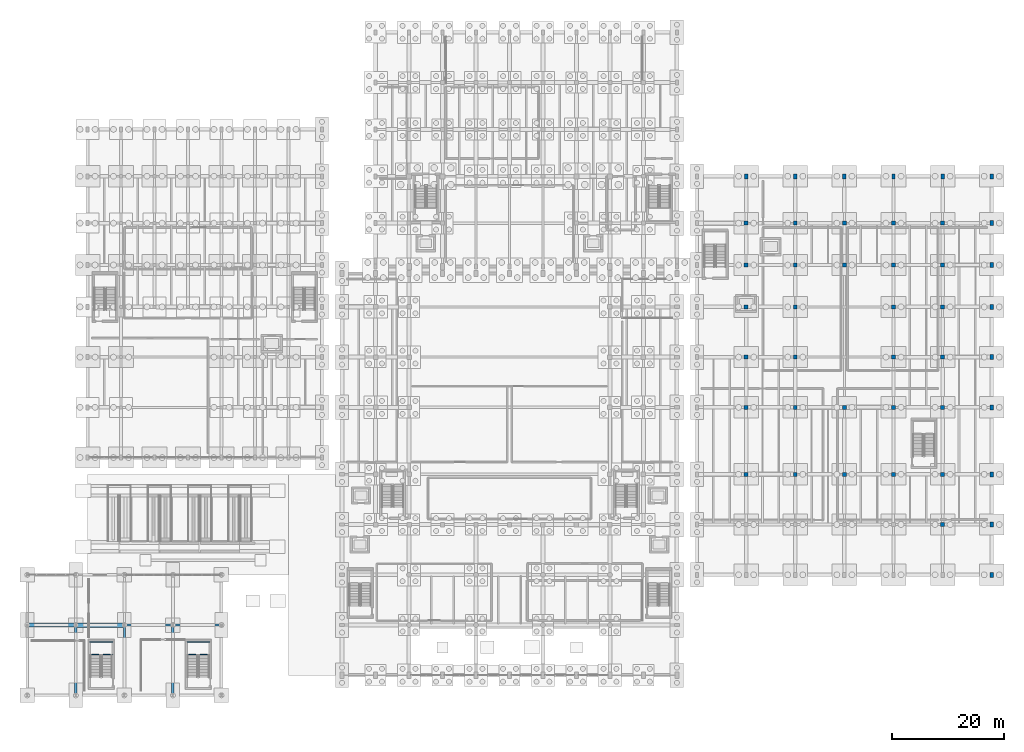
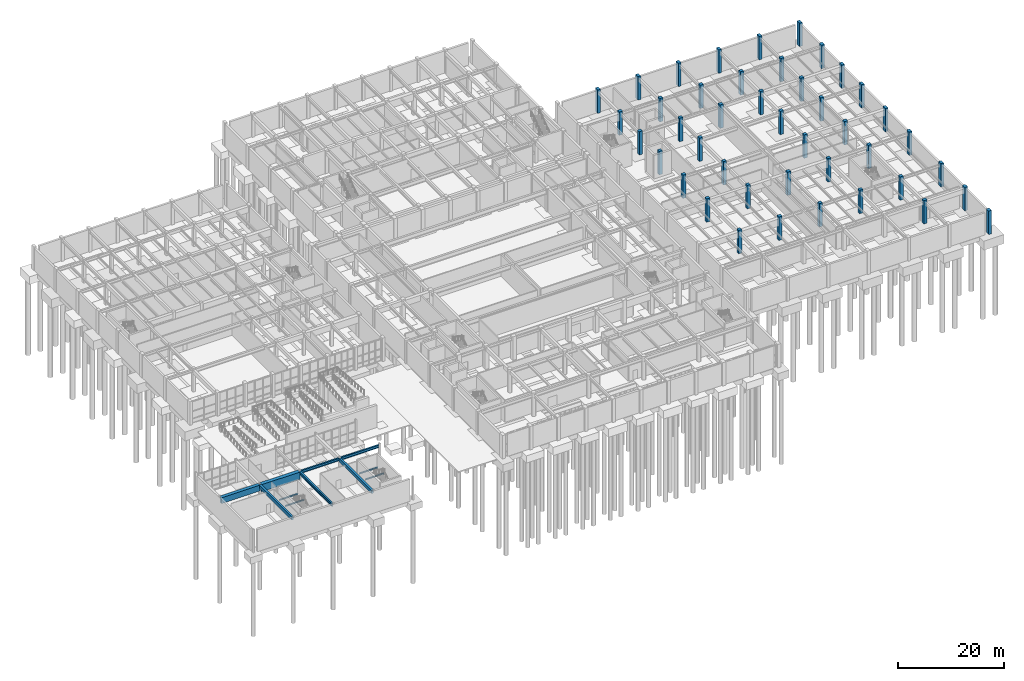
# One storey, part 15 of 69: 43 columns, 11 beams.
"""IFC4 building model written with IfcOpenShell, lengths in metres."""

from ifc_helpers import new_model, si_unit, direction, frame, origin, origin_2d, place, context, subcontext, project, spatial, rectangle, i_section, extrude, material, material_profile, profile_set, type_object, element, save


model = new_model("IFC4")

# Units and contexts
model_context = context("Model", 3, precision=1e-05, world=origin(), true_north=direction((0.0, 1.0)))
body_context = subcontext(model_context, "Body", "Model", "MODEL_VIEW")
ifc_project = project(units=[si_unit("LENGTHUNIT", "METRE"), si_unit("AREAUNIT", "SQUARE_METRE"), si_unit("VOLUMEUNIT", "CUBIC_METRE"), si_unit("PLANEANGLEUNIT", "RADIAN"), si_unit("MASSUNIT", "GRAM", prefix="KILO")], contexts=[model_context])

# Site, building, storey
site_placement = place(None, origin())
site = spatial("IfcSite", under=ifc_project, at=site_placement, CompositionType="ELEMENT")
building_placement = place(site_placement, origin())
building = spatial("IfcBuilding", under=site, at=building_placement, Name="Vaelkrest Opera House", CompositionType="ELEMENT")
storey_placement = place(building_placement, frame((0.0, 0.0, -5.39990234375)))
storey = spatial("IfcBuildingStorey", under=building, at=storey_placement, Name="B1", CompositionType="ELEMENT", Elevation=-5.39990234375)

# Columns
ifc_material_1 = material(Name="Concrete C50/60", Category="concrete")
ifc_material_profile_1 = material_profile(ifc_material_1, rectangle(XDim=0.699951171875, YDim=0.699951171875, at=origin_2d()), Name="RC700X700")
ifc_profile_set_1 = profile_set([ifc_material_profile_1], Name="Concrete C50/60")
column_type_1 = type_object("IfcColumnType", Name="C03", PredefinedType="COLUMN", material=ifc_profile_set_1)
for number, where, z_axis, x_axis, name in (
    (1, (42.39990234375, -19.800048828125, 0.0), (0.0, 0.0, 1.0), (1.0, 0.0, 0.0), "Column COL-V4-B1-1131"),
    (2, (42.39990234375, -7.800048828125, 0.0), (0.0, 0.0, 1.0), (1.0, 0.0, 0.0), "Column COL-V4-B1-1132"),
    (3, (42.39990234375, 1.199951171875, 0.0), (0.0, 0.0, 1.0), (1.0, 0.0, 0.0), "Column COL-V4-B1-1133"),
    (4, (42.39990234375, 10.199951171875, 0.0), (0.0, 0.0, 1.0), (1.0, 0.0, 0.0), "Column COL-V4-B1-1134"),
    (5, (42.39990234375, 17.699951171875, 0.0), (0.0, 0.0, 1.0), (1.0, 0.0, 0.0), "Column COL-V4-B1-1135"),
    (6, (42.39990234375, 25.199951171875, 0.0), (0.0, 0.0, 1.0), (1.0, 0.0, 0.0), "Column COL-V4-B1-1136"),
    (7, (51.199951171875, -19.800048828125, 0.0), (0.0, 0.0, 1.0), (1.0, 0.0, 0.0), "Column COL-V4-B1-1140"),
    (8, (51.199951171875, -7.800048828125, 0.0), (0.0, 0.0, 1.0), (1.0, 0.0, 0.0), "Column COL-V4-B1-1141"),
    (9, (51.199951171875, 1.199951171875, 0.0), (0.0, 0.0, 1.0), (1.0, 0.0, 0.0), "Column COL-V4-B1-1142"),
    (10, (51.199951171875, 10.199951171875, 0.0), (0.0, 0.0, 1.0), (1.0, 0.0, 0.0), "Column COL-V4-B1-1143"),
    (11, (51.199951171875, 17.699951171875, 0.0), (0.0, 0.0, 1.0), (1.0, 0.0, 0.0), "Column COL-V4-B1-1144"),
    (12, (51.199951171875, 25.199951171875, 0.0), (0.0, 0.0, 1.0), (1.0, 0.0, 0.0), "Column COL-V4-B1-1145"),
    (13, (60.0, -19.800048828125, 0.0), (0.0, 0.0, 1.0), (1.0, 0.0, 0.0), "Column COL-V4-B1-1149"),
    (14, (60.0, -7.800048828125, 0.0), (0.0, 0.0, 1.0), (1.0, 0.0, 0.0), "Column COL-V4-B1-1150"),
    (15, (60.0, 17.699951171875, 0.0), (0.0, 0.0, 1.0), (1.0, 0.0, 0.0), "Column COL-V4-B1-1151"),
    (16, (60.0, 25.199951171875, 0.0), (0.0, 0.0, 1.0), (1.0, 0.0, 0.0), "Column COL-V4-B1-1152"),
    (17, (68.800048828125, -19.800048828125, 0.0), (0.0, 0.0, 1.0), (1.0, 0.0, 0.0), "Column COL-V4-B1-1156"),
    (18, (68.800048828125, -7.800048828125, 0.0), (0.0, 0.0, 1.0), (1.0, 0.0, 0.0), "Column COL-V4-B1-1157"),
    (19, (68.800048828125, 1.199951171875, 0.0), (0.0, 0.0, 1.0), (1.0, 0.0, 0.0), "Column COL-V4-B1-1158"),
    (20, (68.800048828125, 10.199951171875, 0.0), (0.0, 0.0, 1.0), (1.0, 0.0, 0.0), "Column COL-V4-B1-1159"),
    (21, (68.800048828125, 17.699951171875, 0.0), (0.0, 0.0, 1.0), (1.0, 0.0, 0.0), "Column COL-V4-B1-1160"),
    (22, (68.800048828125, 25.199951171875, 0.0), (0.0, 0.0, 1.0), (1.0, 0.0, 0.0), "Column COL-V4-B1-1161"),
    (23, (77.60009765625, -28.800048828125, 0.0), (0.0, 0.0, 1.0), (1.0, 0.0, 0.0), "Column COL-V4-B1-1164"),
    (24, (77.60009765625, -19.800048828125, 0.0), (0.0, 0.0, 1.0), (1.0, 0.0, 0.0), "Column COL-V4-B1-1165"),
    (25, (77.60009765625, -7.800048828125, 0.0), (0.0, 0.0, 1.0), (1.0, 0.0, 0.0), "Column COL-V4-B1-1166"),
    (26, (77.60009765625, 1.199951171875, 0.0), (0.0, 0.0, 1.0), (1.0, 0.0, 0.0), "Column COL-V4-B1-1167"),
    (27, (77.60009765625, 10.199951171875, 0.0), (0.0, 0.0, 1.0), (1.0, 0.0, 0.0), "Column COL-V4-B1-1168"),
    (28, (77.60009765625, 17.699951171875, 0.0), (0.0, 0.0, 1.0), (1.0, 0.0, 0.0), "Column COL-V4-B1-1169"),
    (29, (77.60009765625, 25.199951171875, 0.0), (0.0, 0.0, 1.0), (1.0, 0.0, 0.0), "Column COL-V4-B1-1170"),
):
    element("IfcColumn", number, at=place(storey_placement, frame(where, z_axis=z_axis, x_axis=x_axis)), inside=storey, type_object=column_type_1, Name=name, PredefinedType="COLUMN", context=body_context, shape_type="SweptSolid", body=[
        extrude(rectangle(XDim=0.699951171875, YDim=0.699951171875, at=origin_2d()), origin(), (0.0, 0.0, 1.0), 5.39990234375),
    ])
ifc_material_profile_2 = material_profile(ifc_material_1, rectangle(XDim=0.60009765625, YDim=0.89990234375, at=origin_2d()), Name="RC600X900")
ifc_profile_set_2 = profile_set([ifc_material_profile_2], Name="Concrete C50/60")
column_type_2 = type_object("IfcColumnType", Name="C06", PredefinedType="COLUMN", material=ifc_profile_set_2)
for number, where, z_axis, x_axis, name in (
    (30, (42.39990234375, 33.60009765625, 0.0), (0.0, 0.0, 1.0), (1.0, 0.0, 0.0), "Column COL-V4-B1-1137"),
    (31, (51.199951171875, 33.60009765625, 0.0), (0.0, 0.0, 1.0), (1.0, 0.0, 0.0), "Column COL-V4-B1-1146"),
    (32, (60.0, 33.60009765625, 0.0), (0.0, 0.0, 1.0), (1.0, 0.0, 0.0), "Column COL-V4-B1-1153"),
    (33, (68.800048828125, 33.60009765625, 0.0), (0.0, 0.0, 1.0), (1.0, 0.0, 0.0), "Column COL-V4-B1-1162"),
    (34, (77.60009765625, 33.60009765625, 0.0), (0.0, 0.0, 1.0), (1.0, 0.0, 0.0), "Column COL-V4-B1-1171"),
    (35, (86.39990234375, -37.800048828125, 0.0), (0.0, 0.0, 1.0), (1.0, 0.0, 0.0), "Column COL-V4-B1-1172"),
    (36, (86.39990234375, -28.800048828125, 0.0), (0.0, 0.0, 1.0), (1.0, 0.0, 0.0), "Column COL-V4-B1-1173"),
    (37, (86.39990234375, -19.800048828125, 0.0), (0.0, 0.0, 1.0), (1.0, 0.0, 0.0), "Column COL-V4-B1-1174"),
    (38, (86.39990234375, -7.800048828125, 0.0), (0.0, 0.0, 1.0), (1.0, 0.0, 0.0), "Column COL-V4-B1-1175"),
    (39, (86.39990234375, 1.199951171875, 0.0), (0.0, 0.0, 1.0), (1.0, 0.0, 0.0), "Column COL-V4-B1-1176"),
    (40, (86.39990234375, 10.199951171875, 0.0), (0.0, 0.0, 1.0), (1.0, 0.0, 0.0), "Column COL-V4-B1-1177"),
    (41, (86.39990234375, 17.699951171875, 0.0), (0.0, 0.0, 1.0), (1.0, 0.0, 0.0), "Column COL-V4-B1-1178"),
    (42, (86.39990234375, 25.199951171875, 0.0), (0.0, 0.0, 1.0), (1.0, 0.0, 0.0), "Column COL-V4-B1-1179"),
    (43, (86.39990234375, 33.60009765625, 0.0), (0.0, 0.0, 1.0), (1.0, 0.0, 0.0), "Column COL-V4-B1-1180"),
):
    element("IfcColumn", number, at=place(storey_placement, frame(where, z_axis=z_axis, x_axis=x_axis)), inside=storey, type_object=column_type_2, Name=name, PredefinedType="COLUMN", context=body_context, shape_type="SweptSolid", body=[
        extrude(rectangle(XDim=0.60009765625, YDim=0.89990234375, at=origin_2d()), origin(), (0.0, 0.0, 1.0), 5.39990234375),
    ])

# Beams
ifc_material_profile_3 = material_profile(ifc_material_1, rectangle(XDim=0.449951171875, YDim=0.75, at=origin_2d()), Name="RCB450X750")
ifc_profile_set_3 = profile_set([ifc_material_profile_3], Name="Concrete C50/60")
beam_type_1 = type_object("IfcBeamType", Name="B02", PredefinedType="BEAM", material=ifc_profile_set_3)
for number, where, z_axis, x_axis, name in (
    (44, (-77.699951171875, -59.219970703125, 4.704833984375), (0.0, 1.0, 0.0), (-1.0, 0.0, 0.0), "Beam BM-V5-B1-2459"),
    (45, (-60.300048828125, -59.219970703125, 4.704833984375), (0.0, 1.0, 0.0), (-1.0, 0.0, 0.0), "Beam BM-V5-B1-2463"),
):
    element("IfcBeam", number, at=place(storey_placement, frame(where, z_axis=z_axis, x_axis=x_axis)), inside=storey, type_object=beam_type_1, Name=name, PredefinedType="BEAM", context=body_context, shape_type="SweptSolid", body=[
        extrude(rectangle(XDim=0.449951171875, YDim=0.75, at=origin_2d()), origin(), (0.0, 0.0, 1.0), 12.23388671875),
    ])
ifc_material_profile_4 = material_profile(ifc_material_1, rectangle(XDim=0.699951171875, YDim=1.35009765625, at=origin_2d()), Name="RCB700X1350")
ifc_profile_set_4 = profile_set([ifc_material_profile_4], Name="Concrete C50/60")
beam_type_2 = type_object("IfcBeamType", Name="B06", PredefinedType="BEAM", material=ifc_profile_set_4)
beam_1_placement = place(storey_placement, frame((-86.215087890625, -46.800048828125, 4.40478515625), z_axis=(1.0, 0.0, 0.0), x_axis=(0.0, 1.0, 0.0)))
element("IfcBeam", 46, at=beam_1_placement, inside=storey, type_object=beam_type_2, Name="Beam BM-V5-B1-2455", PredefinedType="BEAM", context=body_context, shape_type="SweptSolid", body=[
    extrude(rectangle(XDim=0.699951171875, YDim=1.35009765625, at=origin_2d()), origin(), (0.0, 0.0, 1.0), 8.328125),
])
ifc_material_profile_5 = material_profile(ifc_material_1, rectangle(XDim=0.800048828125, YDim=1.64990234375, at=origin_2d()), Name="RCB800X1650")
ifc_profile_set_5 = profile_set([ifc_material_profile_5], Name="Concrete C50/60")
beam_type_3 = type_object("IfcBeamType", Name="B07", PredefinedType="BEAM", material=ifc_profile_set_5)
beam_2_placement = place(storey_placement, frame((-77.512939453125, -46.800048828125, 4.2548828125), z_axis=(1.0, 0.0, 0.0), x_axis=(0.0, 1.0, 0.0)))
element("IfcBeam", 47, at=beam_2_placement, inside=storey, type_object=beam_type_3, Name="Beam BM-V5-B1-2456", PredefinedType="BEAM", context=body_context, shape_type="SweptSolid", body=[
    extrude(rectangle(XDim=0.800048828125, YDim=1.64990234375, at=origin_2d()), origin(), (0.0, 0.0, 1.0), 8.325927734375),
])
ifc_material_2 = material(Name="Steel A992 Gr50", Category="steel")
ifc_material_profile_6 = material_profile(ifc_material_2, i_section(OverallWidth=0.323974609375, OverallDepth=0.611083984375, WebThickness=0.0126953125, FlangeThickness=0.01904296875, at=origin_2d()), Name="W24X104")
ifc_profile_set_6 = profile_set([ifc_material_profile_6], Name="Steel A992 Gr50")
beam_type_4 = type_object("IfcBeamType", Name="B08", PredefinedType="BEAM", material=ifc_profile_set_6)
beam_3_placement = place(storey_placement, frame((-68.81298828125, -46.800048828125, 4.7744140625), z_axis=(1.0, 0.0, 0.0), x_axis=(0.0, 1.0, 0.0)))
element("IfcBeam", 48, at=beam_3_placement, inside=storey, type_object=beam_type_4, Name="Beam BM-V5-B1-2457", PredefinedType="BEAM", context=body_context, shape_type="SweptSolid", body=[
    extrude(i_section(OverallWidth=0.323974609375, OverallDepth=0.611083984375, WebThickness=0.0126953125, FlangeThickness=0.01904296875, at=origin_2d()), origin(), (0.0, 0.0, 1.0), 8.325927734375),
])
ifc_material_profile_7 = material_profile(ifc_material_2, i_section(OverallWidth=0.327880859375, OverallDepth=0.6279296875, WebThickness=0.0166015625, FlangeThickness=0.027587890625, at=origin_2d()), Name="W24X146")
ifc_profile_set_7 = profile_set([ifc_material_profile_7], Name="Steel A992 Gr50")
beam_type_5 = type_object("IfcBeamType", Name="B09", PredefinedType="BEAM", material=ifc_profile_set_7)
beam_4_placement = place(storey_placement, frame((-60.113037109375, -46.800048828125, 4.765869140625), z_axis=(1.0, 0.0, 0.0), x_axis=(0.0, 1.0, 0.0)))
element("IfcBeam", 49, at=beam_4_placement, inside=storey, type_object=beam_type_5, Name="Beam BM-V5-B1-2458", PredefinedType="BEAM", context=body_context, shape_type="SweptSolid", body=[
    extrude(i_section(OverallWidth=0.327880859375, OverallDepth=0.6279296875, WebThickness=0.0166015625, FlangeThickness=0.027587890625, at=origin_2d()), origin(), (0.0, 0.0, 1.0), 8.328125),
])
ifc_material_profile_8 = material_profile(ifc_material_2, i_section(OverallWidth=0.35498046875, OverallDepth=0.695068359375, WebThickness=0.015380859375, FlangeThickness=0.02490234375, at=origin_2d()), Name="W27X146")
ifc_profile_set_8 = profile_set([ifc_material_profile_8], Name="Steel A992 Gr50")
beam_type_6 = type_object("IfcBeamType", Name="B10", PredefinedType="BEAM", material=ifc_profile_set_8)
beam_5_placement = place(storey_placement, frame((-69.0, -59.219970703125, 4.732421875), z_axis=(0.0, 1.0, 0.0), x_axis=(-1.0, 0.0, 0.0)))
element("IfcBeam", 50, at=beam_5_placement, inside=storey, type_object=beam_type_6, Name="Beam BM-V5-B1-2461", PredefinedType="BEAM", context=body_context, shape_type="SweptSolid", body=[
    extrude(i_section(OverallWidth=0.35498046875, OverallDepth=0.695068359375, WebThickness=0.015380859375, FlangeThickness=0.02490234375, at=origin_2d()), origin(), (0.0, 0.0, 1.0), 12.23388671875),
])
ifc_material_profile_9 = material_profile(ifc_material_2, i_section(OverallWidth=0.202880859375, OverallDepth=0.302978515625, WebThickness=0.007568359375, FlangeThickness=0.01318359375, at=origin_2d()), Name="W12X40")
ifc_profile_set_9 = profile_set([ifc_material_profile_9], Name="Steel A992 Gr50")
beam_type_7 = type_object("IfcBeamType", Name="J02", PredefinedType="JOIST", material=ifc_profile_set_9)
for number, where, z_axis, x_axis, name in (
    (51, (-75.219970703125, -52.110107421875, 2.348388671875), (1.0, 0.0, 0.0), (0.0, 1.0, 0.0), "Stair landing bearer beam ST11 B1-1N"),
    (52, (-75.219970703125, -49.820068359375, 2.348388671875), (1.0, 0.0, 0.0), (0.0, 1.0, 0.0), "Stair landing bearer beam ST11 B1-1F"),
):
    element("IfcBeam", number, at=place(storey_placement, frame(where, z_axis=z_axis, x_axis=x_axis)), inside=storey, type_object=beam_type_7, Name=name, PredefinedType="JOIST", context=body_context, shape_type="SweptSolid", body=[
        extrude(i_section(OverallWidth=0.202880859375, OverallDepth=0.302978515625, WebThickness=0.007568359375, FlangeThickness=0.01318359375, at=origin_2d()), origin(), (0.0, 0.0, 1.0), 4.139892578125),
    ])
for number, where, z_axis, x_axis, name in (
    (53, (-57.820068359375, -52.110107421875, 2.348388671875), (1.0, 0.0, 0.0), (0.0, 1.0, 0.0), "Stair landing bearer beam ST12 B1-1N"),
    (54, (-57.820068359375, -49.820068359375, 2.348388671875), (1.0, 0.0, 0.0), (0.0, 1.0, 0.0), "Stair landing bearer beam ST12 B1-1F"),
):
    element("IfcBeam", number, at=place(storey_placement, frame(where, z_axis=z_axis, x_axis=x_axis)), inside=storey, type_object=beam_type_7, Name=name, PredefinedType="JOIST", context=body_context, shape_type="SweptSolid", body=[
        extrude(i_section(OverallWidth=0.202880859375, OverallDepth=0.302978515625, WebThickness=0.007568359375, FlangeThickness=0.01318359375, at=origin_2d()), origin(), (0.0, 0.0, 1.0), 4.14013671875),
    ])

save(model, "model.ifc")
